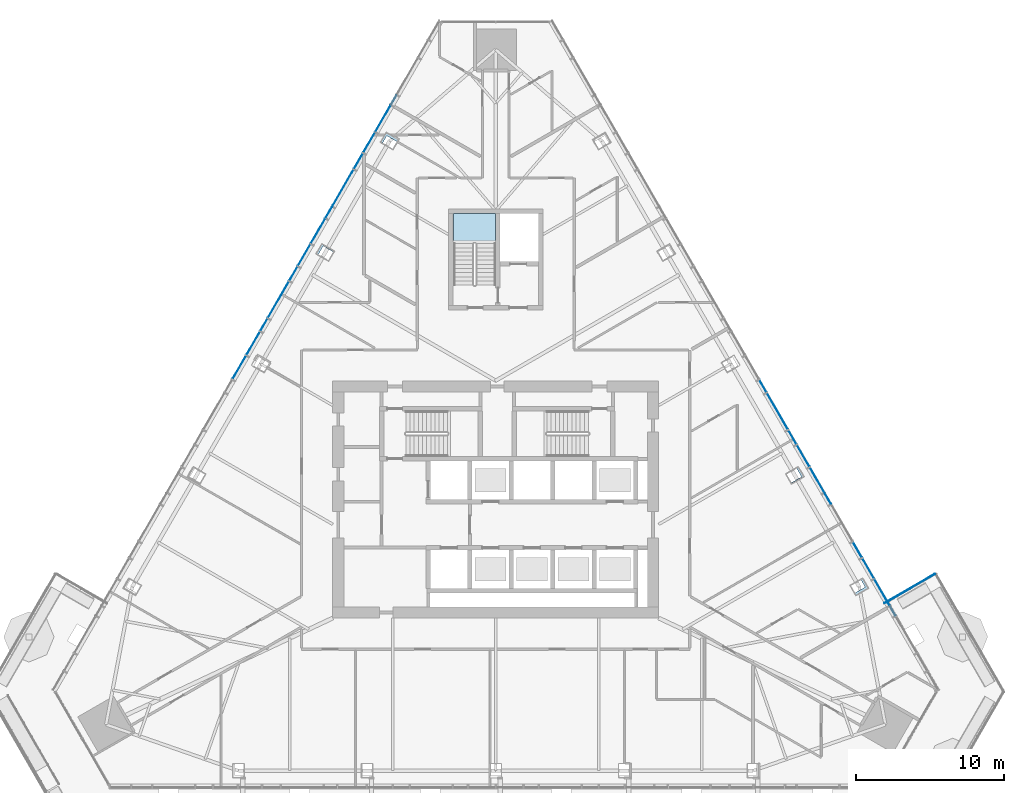
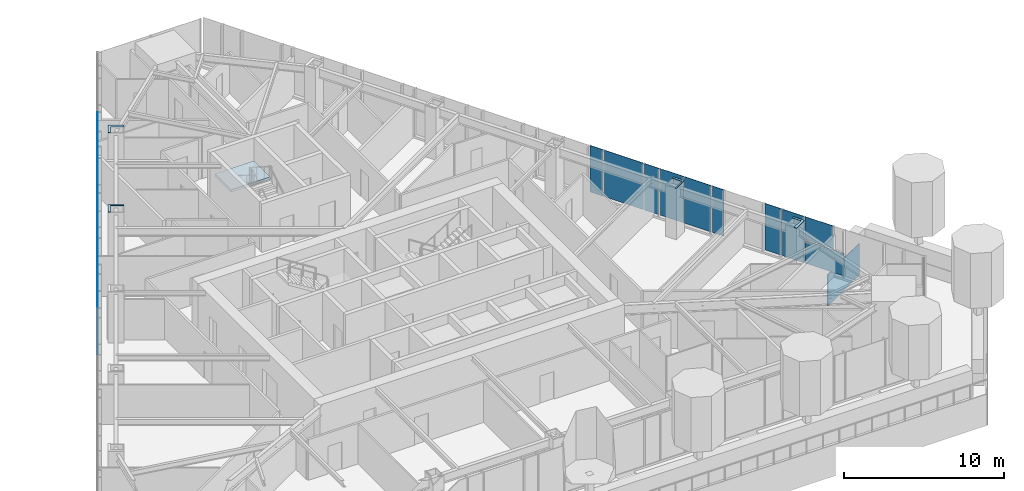
# One storey, part 13 of 24: 28 plates, 1 slab, 3 elements without a shape of their own.
"""IFC4 building model written with IfcOpenShell, lengths in metres."""

from ifc_helpers import new_model, si_unit, direction, frame, origin, place, context, subcontext, project, spatial, polyline, outline, extrude, material, layer, layer_set, type_object, element, aggregate, save


model = new_model("IFC4")

# Units and contexts
model_context = context("Model", 3, precision=1e-05, world=origin(), true_north=direction((0.0, 1.0)))
body_context = subcontext(model_context, "Body", "Model", "MODEL_VIEW")
ifc_project = project(units=[si_unit("LENGTHUNIT", "METRE"), si_unit("AREAUNIT", "SQUARE_METRE"), si_unit("VOLUMEUNIT", "CUBIC_METRE"), si_unit("PLANEANGLEUNIT", "RADIAN"), si_unit("MASSUNIT", "GRAM", prefix="KILO")], contexts=[model_context])

# Site, building, storey
site_placement = place(None, origin())
site = spatial("IfcSite", under=ifc_project, at=site_placement, CompositionType="ELEMENT")
building_placement = place(site_placement, origin())
building = spatial("IfcBuilding", under=site, at=building_placement, Name="Firuza Gate Tower and Library", CompositionType="ELEMENT")
storey_placement = place(building_placement, frame((0.0, 0.0, 194.800048828125)))
storey = spatial("IfcBuildingStorey", under=building, at=storey_placement, Name="L45", CompositionType="ELEMENT", Elevation=194.800048828125)

# Plates
ifc_material_1 = material(Name="Steel S355", Category="steel")
ifc_layer_1 = layer(ifc_material_1, 0.030029296875)
ifc_layer_set_1 = layer_set([ifc_layer_1], Name="Column infill plate 30 Steel S355")
plate_type_1 = type_object("IfcPlateType", Name="Column infill plate 30 Steel S355", PredefinedType="SHEET", material=ifc_layer_set_1)
placement_1 = place(storey_placement, frame((0.0, 0.0, 3.89990234375)))
element("IfcPlate", 1, at=placement_1, inside=storey, type_object=plate_type_1, Name="Infill plate L45:E1", PredefinedType="SHEET", context=body_context, shape_type="SweptSolid", body=[
    extrude(outline(polyline([(99.76806640625, 69.702880859375), (99.6298828125, 69.623046875), (99.93798828125, 69.089599609375), (99.2099609375, 68.66943359375), (99.302001953125, 68.510009765625), (100.16796875, 69.010009765625), (99.76806640625, 69.702880859375)])), origin(), (0.0, 0.0, 1.0), 0.030029296875),
])
element("IfcPlate", 2, at=placement_1, inside=storey, type_object=plate_type_1, Name="Infill plate L45:E2", PredefinedType="SHEET", context=body_context, shape_type="SweptSolid", body=[
    extrude(outline(polyline([(95.425048828125, 77.224853515625), (95.287109375, 77.145263671875), (95.64111328125, 76.531982421875), (94.9130859375, 76.11181640625), (94.959228515625, 76.031982421875), (95.8251953125, 76.531982421875), (95.425048828125, 77.224853515625)])), origin(), (0.0, 0.0, 1.0), 0.030029296875),
])
element("IfcPlate", 3, at=placement_1, inside=storey, type_object=plate_type_1, Name="Infill plate L45:W1", PredefinedType="SHEET", context=body_context, shape_type="SweptSolid", body=[
    extrude(outline(polyline([(67.20361328125, 99.098388671875), (67.341552734375, 99.0185546875), (67.649658203125, 99.552001953125), (68.37744140625, 99.1318359375), (68.469482421875, 99.291259765625), (67.603515625, 99.791259765625), (67.20361328125, 99.098388671875)])), origin(), (0.0, 0.0, 1.0), 0.030029296875),
])
element("IfcPlate", 4, at=placement_1, inside=storey, type_object=plate_type_1, Name="Infill plate L45:W2", PredefinedType="SHEET", context=body_context, shape_type="SweptSolid", body=[
    extrude(outline(polyline([(62.860595703125, 91.576171875), (62.998779296875, 91.49658203125), (63.352783203125, 92.109619140625), (64.08056640625, 91.689453125), (64.126708984375, 91.76904296875), (63.2607421875, 92.26904296875), (62.860595703125, 91.576171875)])), origin(), (0.0, 0.0, 1.0), 0.030029296875),
])

# Curtain wall, plates
ifc_material_2 = material(Name="Aluminium 6063-T6", Category="aluminium")
ifc_layer_2 = layer(ifc_material_2, 0.14990234375)
ifc_layer_set_2 = layer_set([ifc_layer_2], Name="Unitised curtain wall, hotel")
curtain_wall_type = type_object("IfcCurtainWallType", Name="Unitised curtain wall, hotel", PredefinedType="NOTDEFINED", material=ifc_layer_set_2)
placement_2 = place(storey_placement, origin())
curtain_wall_1 = element("IfcCurtainWall", 5, at=placement_2, inside=storey, type_object=curtain_wall_type, Name="CW2 L45 E face", PredefinedType="NOTDEFINED")
ifc_material_3 = material(Name="Fritted glass", Category="glass")
ifc_layer_3 = layer(ifc_material_3, 0.030029296875)
ifc_layer_set_3 = layer_set([ifc_layer_3], Name="Fritted glass unit, hotel")
plate_type_2 = type_object("IfcPlateType", Name="Fritted glass unit, hotel", PredefinedType="CURTAIN_PANEL", material=ifc_layer_set_3)
plate_5_placement = place(storey_placement, frame((101.984130859375, 67.1845703125, 0.14990234375), z_axis=(0.865996714767, 0.500049687543, 0.0), x_axis=(-0.500049687543, 0.865996714767, 0.0)))
plate_5 = element("IfcPlate", 6, at=plate_5_placement, type_object=plate_type_2, Name="Glass unit", PredefinedType="CURTAIN_PANEL", context=body_context, shape_type="SweptSolid", body=[
    extrude(outline(polyline([(0.0, 0.0), (2.820032259049788, 0.0), (2.820032259049788, 1.735107421875), (0.0, 1.735107421875), (0.0, 0.0)])), origin(), (0.0, 0.0, -1.0), 0.030029296875),
])
plate_6_placement = place(storey_placement, frame((101.59375, 67.860595703125, 1.96484375), z_axis=(0.866002171892, 0.500040236659, 0.0), x_axis=(-0.500040236659, 0.866002171892, 0.0)))
plate_6 = element("IfcPlate", 7, at=plate_6_placement, type_object=plate_type_2, Name="Glass unit", PredefinedType="CURTAIN_PANEL", context=body_context, shape_type="SweptSolid", body=[
    extrude(outline(polyline([(0.0, 0.0), (2.039386665037313, 0.0), (2.039386665037313, 1.735107421875), (0.0, 1.735107421875), (0.0, 0.0)])), origin(), (0.0, 0.0, -1.0), 0.030029296875),
])
plate_7_placement = place(storey_placement, frame((100.5341796875, 69.696044921875, 0.14990234375), z_axis=(0.865977637699, 0.500082724161, 0.0), x_axis=(-0.500082724161, 0.865977637699, 0.0)))
plate_7 = element("IfcPlate", 8, at=plate_7_placement, type_object=plate_type_2, Name="Glass unit", PredefinedType="CURTAIN_PANEL", context=body_context, shape_type="SweptSolid", body=[
    extrude(outline(polyline([(0.0, 0.0), (1.544666312549146, 0.0), (1.544666312549146, 3.550048828125), (0.0, 3.550048828125), (0.0, 0.0)])), origin(), (0.0, 0.0, -1.0), 0.030029296875),
])
plate_8_placement = place(storey_placement, frame((97.181640625, 75.50244140625, 0.14990234375), z_axis=(0.866030650962, 0.499990911512, 0.0), x_axis=(-0.499990911512, 0.866030650962, 0.0)))
plate_8 = element("IfcPlate", 9, at=plate_8_placement, type_object=plate_type_2, Name="Glass unit", PredefinedType="CURTAIN_PANEL", context=body_context, shape_type="SweptSolid", body=[
    extrude(outline(polyline([(0.0, 0.0), (1.9155621628777642, 0.0), (1.9155621628777642, 3.550048828125), (0.0, 3.550048828125), (0.0, 0.0)])), origin(), (0.0, 0.0, -1.0), 0.030029296875),
])
plate_9_placement = place(storey_placement, frame((96.183837890625, 77.230712890625, 0.14990234375), z_axis=(0.866073490468, 0.49991670217, 0.0), x_axis=(-0.49991670217, 0.866073490468, 0.0)))
plate_9 = element("IfcPlate", 10, at=plate_9_placement, type_object=plate_type_2, Name="Glass unit", PredefinedType="CURTAIN_PANEL", context=body_context, shape_type="SweptSolid", body=[
    extrude(outline(polyline([(0.0, 0.0), (1.668246672656861, 0.0), (1.668246672656861, 3.550048828125), (0.0, 3.550048828125), (0.0, 0.0)])), origin(), (0.0, 0.0, -1.0), 0.030029296875),
])

curtain_wall_2 = element("IfcCurtainWall", 11, at=placement_2, inside=storey, type_object=curtain_wall_type, Name="CW2 L45 W face", PredefinedType="NOTDEFINED")
plate_10_placement = place(storey_placement, frame((68.2763671875, 102.276611328125, 0.14990234375), z_axis=(-0.866034203951, 0.499984757355, 0.0), x_axis=(-0.499984757355, -0.866034203951, 0.0)))
plate_10 = element("IfcPlate", 12, at=plate_10_placement, type_object=plate_type_2, Name="Glass unit", PredefinedType="CURTAIN_PANEL", context=body_context, shape_type="SweptSolid", body=[
    extrude(outline(polyline([(0.0, 0.0), (2.8199101845324175, 0.0), (2.8199101845324175, 1.735107421875), (0.0, 1.735107421875), (0.0, 0.0)])), origin(), (0.0, 0.0, -1.0), 0.030029296875),
])
plate_11_placement = place(storey_placement, frame((67.885986328125, 101.6005859375, 1.96484375), z_axis=(-0.866054010271, 0.499950448838, 0.0), x_axis=(-0.499950448838, -0.866054010271, 0.0)))
plate_11 = element("IfcPlate", 13, at=plate_11_placement, type_object=plate_type_2, Name="Glass unit", PredefinedType="CURTAIN_PANEL", context=body_context, shape_type="SweptSolid", body=[
    extrude(outline(polyline([(0.0, 0.0), (2.0392645958615088, 0.0), (2.0392645958615088, 1.735107421875), (0.0, 1.735107421875), (0.0, 0.0)])), origin(), (0.0, 0.0, -1.0), 0.030029296875),
])
plate_12_placement = place(storey_placement, frame((66.826416015625, 99.76513671875, 0.14990234375), z_axis=(-0.865977637699, 0.500082724161, 0.0), x_axis=(-0.500082724161, -0.865977637699, 0.0)))
plate_12 = element("IfcPlate", 14, at=plate_12_placement, type_object=plate_type_2, Name="Glass unit", PredefinedType="CURTAIN_PANEL", context=body_context, shape_type="SweptSolid", body=[
    extrude(outline(polyline([(0.0, 0.0), (1.544666312549146, 0.0), (1.544666312549146, 3.550048828125), (0.0, 3.550048828125), (0.0, 0.0)])), origin(), (0.0, 0.0, -1.0), 0.030029296875),
])
plate_13_placement = place(storey_placement, frame((63.47412109375, 93.958740234375, 0.14990234375), z_axis=(-0.866030650962, 0.499990911512, 0.0), x_axis=(-0.499990911512, -0.866030650962, 0.0)))
plate_13 = element("IfcPlate", 15, at=plate_13_placement, type_object=plate_type_2, Name="Glass unit", PredefinedType="CURTAIN_PANEL", context=body_context, shape_type="SweptSolid", body=[
    extrude(outline(polyline([(0.0, 0.0), (1.9155621628777642, 0.0), (1.9155621628777642, 3.550048828125), (0.0, 3.550048828125), (0.0, 0.0)])), origin(), (0.0, 0.0, -1.0), 0.030029296875),
])
plate_14_placement = place(storey_placement, frame((62.476318359375, 92.23046875, 0.14990234375), z_axis=(-0.866010125667, 0.500026461542, 0.0), x_axis=(-0.500026461542, -0.866010125667, 0.0)))
plate_14 = element("IfcPlate", 16, at=plate_14_placement, type_object=plate_type_2, Name="Glass unit", PredefinedType="CURTAIN_PANEL", context=body_context, shape_type="SweptSolid", body=[
    extrude(outline(polyline([(0.0, 0.0), (1.668368736031828, 0.0), (1.668368736031828, 3.550048828125001), (0.0, 3.550048828125001), (0.0, 0.0)])), origin(), (0.0, 0.0, -1.0), 0.030029296875),
])
plate_15_placement = place(storey_placement, frame((59.062255859375, 86.317138671875, 0.14990234375), z_axis=(-0.866038125567, 0.499977964579, 0.0), x_axis=(-0.499977964579, -0.866038125567, 0.0)))
plate_15 = element("IfcPlate", 17, at=plate_15_placement, type_object=plate_type_2, Name="Glass unit", PredefinedType="CURTAIN_PANEL", context=body_context, shape_type="SweptSolid", body=[
    extrude(outline(polyline([(0.0, 0.0), (1.792071165584412, 0.0), (1.792071165584412, 3.550048828125), (0.0, 3.550048828125), (0.0, 0.0)])), origin(), (0.0, 0.0, -1.0), 0.030029296875),
])
plate_16_placement = place(storey_placement, frame((58.126220703125, 84.696044921875, 0.14990234375), z_axis=(-0.866038125567, 0.499977964579, 0.0), x_axis=(-0.499977964579, -0.866038125567, 0.0)))
plate_16 = element("IfcPlate", 18, at=plate_16_placement, type_object=plate_type_2, Name="Glass unit", PredefinedType="CURTAIN_PANEL", context=body_context, shape_type="SweptSolid", body=[
    extrude(outline(polyline([(0.0, 0.0), (1.792071165584412, 0.0), (1.792071165584412, 3.550048828125), (0.0, 3.550048828125), (0.0, 0.0)])), origin(), (0.0, 0.0, -1.0), 0.030029296875),
])

# Plate
ifc_material_4 = material(Name="Glazed ceramic tile")
ifc_layer_4 = layer(ifc_material_4, 0.030029296875)
ifc_layer_set_4 = layer_set([ifc_layer_4], Name="Opaque ceramic panel, hotel")
plate_type_3 = type_object("IfcPlateType", Name="Opaque ceramic panel, hotel", PredefinedType="CURTAIN_PANEL", material=ifc_layer_set_4)
plate_17_placement = place(storey_placement, frame((99.7216796875, 71.10302734375, 0.14990234375), z_axis=(0.866022320763, 0.500005339912, 0.0), x_axis=(-0.500005339912, 0.866022320763, 0.0)))
plate_17 = element("IfcPlate", 19, at=plate_17_placement, type_object=plate_type_3, Name="Opaque ceramic panel", PredefinedType="CURTAIN_PANEL", context=body_context, shape_type="SweptSolid", body=[
    extrude(outline(polyline([(0.0, 0.0), (1.1952997344089578, 0.0), (1.1952997344089578, 3.5500488281249996), (0.0, 3.5500488281249996), (0.0, 0.0)])), origin(), (0.0, 0.0, -1.0), 0.030029296875),
])

plate_18_placement = place(storey_placement, frame((97.634033203125, 74.718994140625, 0.14990234375), z_axis=(0.865993292597, 0.500055614084, 0.0), x_axis=(-0.500055614084, 0.865993292597, 0.0)))
plate_18 = element("IfcPlate", 20, at=plate_18_placement, type_object=plate_type_3, Name="Opaque ceramic panel", PredefinedType="CURTAIN_PANEL", context=body_context, shape_type="SweptSolid", body=[
    extrude(outline(polyline([(0.0, 0.0), (0.8246153107993742, 0.0), (0.8246153107993742, 3.550048828125), (0.0, 3.550048828125), (0.0, 0.0)])), origin(), (0.0, 0.0, -1.0), 0.030029296875),
])

plate_19_placement = place(storey_placement, frame((95.309814453125, 78.74462890625, 0.14990234375), z_axis=(0.866033858845, 0.49998535512, 0.0), x_axis=(-0.49998535512, 0.866033858845, 0.0)))
plate_19 = element("IfcPlate", 21, at=plate_19_placement, type_object=plate_type_3, Name="Opaque ceramic panel", PredefinedType="CURTAIN_PANEL", context=body_context, shape_type="SweptSolid", body=[
    extrude(outline(polyline([(0.0, 0.0), (1.0718087367715181, 0.0), (1.0718087367715181, 3.550048828125), (0.0, 3.550048828125), (0.0, 0.0)])), origin(), (0.0, 0.0, -1.0), 0.030029296875),
])

plate_20_placement = place(storey_placement, frame((94.73388671875, 79.7421875, 0.14990234375), z_axis=(0.866034203951, 0.499984757355, 0.0), x_axis=(-0.499984757355, 0.866034203951, 0.0)))
plate_20 = element("IfcPlate", 22, at=plate_20_placement, type_object=plate_type_3, Name="Opaque ceramic panel", PredefinedType="CURTAIN_PANEL", context=body_context, shape_type="SweptSolid", body=[
    extrude(outline(polyline([(0.0, 0.0), (2.8199101845324175, 0.0), (2.8199101845324175, 3.550048828125001), (0.0, 3.550048828125001), (0.0, 0.0)])), origin(), (0.0, 0.0, -1.0), 0.030029296875),
])

plate_21_placement = place(storey_placement, frame((93.283935546875, 82.253662109375, 0.14990234375), z_axis=(0.865984028497, 0.500071657253, 0.0), x_axis=(-0.500071657253, 0.865984028497, 0.0)))
plate_21 = element("IfcPlate", 23, at=plate_21_placement, type_object=plate_type_3, Name="Opaque ceramic panel", PredefinedType="CURTAIN_PANEL", context=body_context, shape_type="SweptSolid", body=[
    extrude(outline(polyline([(0.0, 0.0), (0.9481063101126482, 0.0), (0.9481063101126482, 3.550048828125), (0.0, 3.550048828125), (0.0, 0.0)])), origin(), (0.0, 0.0, -1.0), 0.030029296875),
])

aggregate(curtain_wall_1, [plate_5, plate_6, plate_7, plate_17, plate_18, plate_8, plate_9, plate_19, plate_20, plate_21])

plate_22_placement = place(storey_placement, frame((66.013916015625, 98.358154296875, 0.14990234375), z_axis=(-0.866022320763, 0.500005339912, 0.0), x_axis=(-0.500005339912, -0.866022320763, 0.0)))
plate_22 = element("IfcPlate", 24, at=plate_22_placement, type_object=plate_type_3, Name="Opaque ceramic panel", PredefinedType="CURTAIN_PANEL", context=body_context, shape_type="SweptSolid", body=[
    extrude(outline(polyline([(0.0, 0.0), (1.1952997344089578, 0.0), (1.1952997344089578, 3.5500488281249996), (0.0, 3.5500488281249996), (0.0, 0.0)])), origin(), (0.0, 0.0, -1.0), 0.030029296875),
])

plate_23_placement = place(storey_placement, frame((65.376220703125, 97.253662109375, 0.14990234375), z_axis=(-0.866055844559, 0.499947271324, 0.0), x_axis=(-0.499947271324, -0.866055844559, 0.0)))
plate_23 = element("IfcPlate", 25, at=plate_23_placement, type_object=plate_type_3, Name="Opaque ceramic panel", PredefinedType="CURTAIN_PANEL", context=body_context, shape_type="SweptSolid", body=[
    extrude(outline(polyline([(0.0, 0.0), (2.820121621306016, 0.0), (2.820121621306016, 3.550048828125), (0.0, 3.550048828125), (0.0, 0.0)])), origin(), (0.0, 0.0, -1.0), 0.030029296875),
])

plate_24_placement = place(storey_placement, frame((63.92626953125, 94.7421875, 0.14990234375), z_axis=(-0.866121492985, 0.499833531678, 0.0), x_axis=(-0.499833531678, -0.866121492985, 0.0)))
plate_24 = element("IfcPlate", 26, at=plate_24_placement, type_object=plate_type_3, Name="Opaque ceramic panel", PredefinedType="CURTAIN_PANEL", context=body_context, shape_type="SweptSolid", body=[
    extrude(outline(polyline([(0.0, 0.0), (0.8244932540168792, 0.0), (0.8244932540168792, 3.550048828125), (0.0, 3.550048828125), (0.0, 0.0)])), origin(), (0.0, 0.0, -1.0), 0.030029296875),
])

plate_25_placement = place(storey_placement, frame((61.60205078125, 90.716552734375, 0.14990234375), z_axis=(-0.866033858845, 0.49998535512, 0.0), x_axis=(-0.49998535512, -0.866033858845, 0.0)))
plate_25 = element("IfcPlate", 27, at=plate_25_placement, type_object=plate_type_3, Name="Opaque ceramic panel", PredefinedType="CURTAIN_PANEL", context=body_context, shape_type="SweptSolid", body=[
    extrude(outline(polyline([(0.0, 0.0), (1.0718087367715181, 0.0), (1.0718087367715181, 3.550048828125), (0.0, 3.550048828125), (0.0, 0.0)])), origin(), (0.0, 0.0, -1.0), 0.030029296875),
])

plate_26_placement = place(storey_placement, frame((61.026123046875, 89.718994140625, 0.14990234375), z_axis=(-0.866034203951, 0.499984757355, 0.0), x_axis=(-0.499984757355, -0.866034203951, 0.0)))
plate_26 = element("IfcPlate", 28, at=plate_26_placement, type_object=plate_type_3, Name="Opaque ceramic panel", PredefinedType="CURTAIN_PANEL", context=body_context, shape_type="SweptSolid", body=[
    extrude(outline(polyline([(0.0, 0.0), (2.8199101845324175, 0.0), (2.8199101845324175, 3.550048828125001), (0.0, 3.550048828125001), (0.0, 0.0)])), origin(), (0.0, 0.0, -1.0), 0.030029296875),
])

plate_27_placement = place(storey_placement, frame((59.576171875, 87.20751953125, 0.14990234375), z_axis=(-0.865984028497, 0.500071657253, 0.0), x_axis=(-0.500071657253, -0.865984028497, 0.0)))
plate_27 = element("IfcPlate", 29, at=plate_27_placement, type_object=plate_type_3, Name="Opaque ceramic panel", PredefinedType="CURTAIN_PANEL", context=body_context, shape_type="SweptSolid", body=[
    extrude(outline(polyline([(0.0, 0.0), (0.9481063101126482, 0.0), (0.9481063101126482, 3.550048828125), (0.0, 3.550048828125), (0.0, 0.0)])), origin(), (0.0, 0.0, -1.0), 0.030029296875),
])

aggregate(curtain_wall_2, [plate_10, plate_11, plate_12, plate_22, plate_23, plate_24, plate_13, plate_14, plate_25, plate_26, plate_27, plate_15, plate_16])

# Stair, slab
ifc_material_5 = material(Name="Concrete C35/45", Category="concrete")
stair_type = type_object("IfcStairType", Name="Exit stair ST16", PredefinedType="HALF_TURN_STAIR", material=ifc_material_5)
stair = element("IfcStair", 30, at=placement_2, inside=storey, type_object=stair_type, Name="L45 Stair ST3", PredefinedType="HALF_TURN_STAIR")
ifc_material_6 = material(Name="Concrete C35/45", Category="concrete")
ifc_layer_5 = layer(ifc_material_6, 0.199951171875)
ifc_layer_set_5 = layer_set([ifc_layer_5], Name="Stair landing 200")
slab_type = type_object("IfcSlabType", Name="Stair landing 200", PredefinedType="LANDING", material=ifc_layer_set_5)
slab_placement = place(storey_placement, frame((0.0, 0.0, 1.75)))
slab = element("IfcSlab", 31, at=slab_placement, type_object=slab_type, Name="ST3 landing 1", PredefinedType="LANDING", context=body_context, shape_type="SweptSolid", body=[
    extrude(outline(polyline([(75.0, 92.27001953125), (75.0, 94.300048828125), (72.159912109375, 94.300048828125), (72.159912109375, 92.27001953125), (75.0, 92.27001953125)])), origin(), (0.0, 0.0, 1.0), 0.199951171875),
])
aggregate(stair, [slab])

# Plate
ifc_material_7 = material(Name="Aluminium 6063-T6", Category="aluminium")
ifc_layer_6 = layer(ifc_material_7, 0.050048828125)
ifc_layer_set_6 = layer_set([ifc_layer_6], Name="Tray fascia panel 50")
plate_type_4 = type_object("IfcPlateType", Name="Tray fascia panel 50", PredefinedType="SHEET", material=ifc_layer_set_6)
plate_28_placement = place(storey_placement, frame((104.64208984375, 70.0, -2.400146484375), z_axis=(-0.49999779889, 0.866026674592, 0.0), x_axis=(-0.866026674592, -0.49999779889, 0.0)))
element("IfcPlate", 32, at=plate_28_placement, inside=storey, type_object=plate_type_4, Name="Tray fascia L45 6", PredefinedType="SHEET", context=body_context, shape_type="SweptSolid", body=[
    extrude(outline(polyline([(0.0, 0.0), (3.9399587508162695, 0.0), (3.9399587508162695, 2.400146484375), (0.0, 2.400146484375), (0.0, 0.0)])), origin(), (0.0, 0.0, -1.0), 0.050048828125),
])

save(model, "model.ifc")
